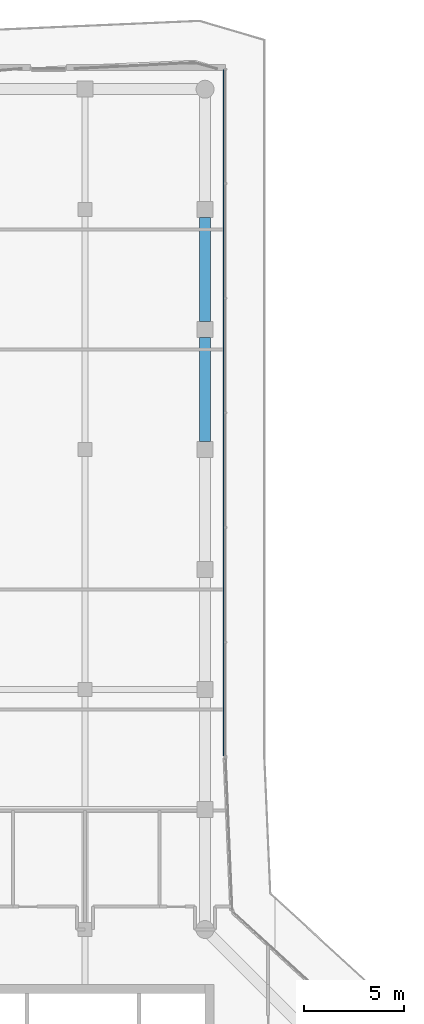
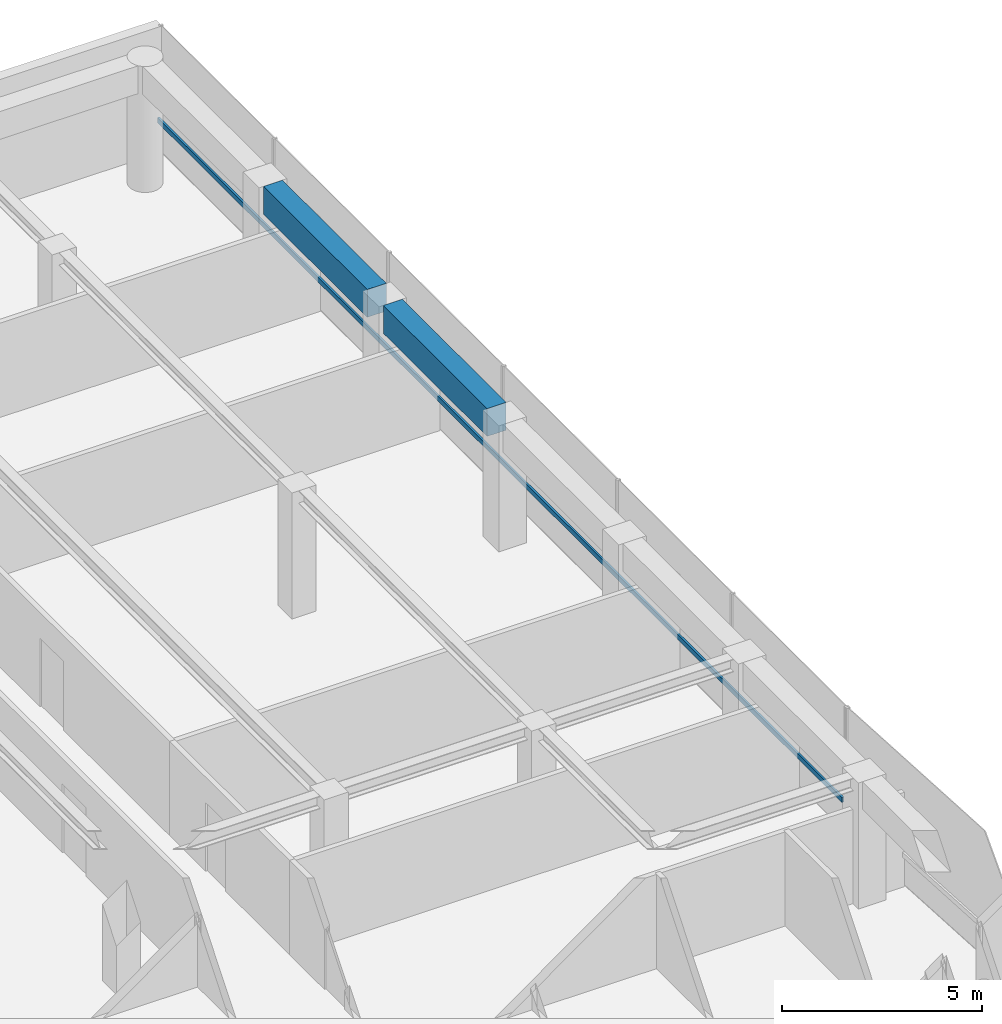
# One storey, part 14 of 21: 2 beams, 1 member, 1 element without a shape of its own.
"""IFC4 building model written with IfcOpenShell, lengths in metres."""

from ifc_helpers import new_model, si_unit, direction, frame, origin, origin_2d, place, context, subcontext, project, spatial, rectangle, extrude, material, layer, layer_set, material_profile, profile_set, type_object, element, aggregate, save


model = new_model("IFC4")

# Units and contexts
model_context = context("Model", 3, precision=1e-05, world=origin(), true_north=direction((0.0, 1.0)))
body_context = subcontext(model_context, "Body", "Model", "MODEL_VIEW")
ifc_project = project(units=[si_unit("LENGTHUNIT", "METRE"), si_unit("AREAUNIT", "SQUARE_METRE"), si_unit("VOLUMEUNIT", "CUBIC_METRE"), si_unit("PLANEANGLEUNIT", "RADIAN"), si_unit("MASSUNIT", "GRAM", prefix="KILO")], contexts=[model_context])

# Site, building, storey
site_placement = place(None, origin())
site = spatial("IfcSite", under=ifc_project, at=site_placement, CompositionType="ELEMENT")
building_placement = place(site_placement, origin())
building = spatial("IfcBuilding", under=site, at=building_placement, Name="Welwitschia Terrace Campus", CompositionType="ELEMENT")
storey_placement = place(building_placement, frame((0.0, 0.0, 218.0)))
storey = spatial("IfcBuildingStorey", under=building, at=storey_placement, Name="L48", CompositionType="ELEMENT", Elevation=218.0)

# Beams
ifc_material_1 = material(Name="Concrete C50/60", Category="concrete")
ifc_material_profile_1 = material_profile(ifc_material_1, rectangle(XDim=0.550048828125, YDim=0.85009765625, at=origin_2d()))
ifc_profile_set_1 = profile_set([ifc_material_profile_1], Name="Concrete C50/60")
beam_type = type_object("IfcBeamType", Name="Ring spandrel 550x850", PredefinedType="SPANDREL", material=ifc_profile_set_1)
for number, where, z_axis, x_axis, name in (
    (1, (24.0, 52.400390625, 3.425048828125), (0.0, 1.0, 0.0), (-1.0, 0.0, 0.0), "Spandrel SP3"),
    (2, (24.0, 58.400390625, 3.425048828125), (0.0, 1.0, 0.0), (-1.0, 0.0, 0.0), "Spandrel SP3"),
):
    element("IfcBeam", number, at=place(storey_placement, frame(where, z_axis=z_axis, x_axis=x_axis)), inside=storey, type_object=beam_type, Name=name, PredefinedType="SPANDREL", context=body_context, shape_type="SweptSolid", body=[
        extrude(rectangle(XDim=0.550048828125, YDim=0.85009765625, at=origin_2d()), origin(), (0.0, 0.0, 1.0), 5.19921875),
    ])

# Curtain wall, member
ifc_material_2 = material(Name="Bronze anodised aluminium", Category="aluminium")
ifc_layer = layer(ifc_material_2, 0.1201171875)
ifc_layer_set = layer_set([ifc_layer], Name="Bronze anodised aluminium")
curtain_wall_type = type_object("IfcCurtainWallType", Name="Curtain wall CW2 tower 6000", PredefinedType="NOTDEFINED", material=ifc_layer_set)
curtain_wall_placement = place(storey_placement, origin())
curtain_wall = element("IfcCurtainWall", 3, at=curtain_wall_placement, inside=storey, type_object=curtain_wall_type, Name="CW L48.6.0", PredefinedType="NOTDEFINED")
ifc_material_3 = material(Name="Bronze anodised aluminium", Category="aluminium")
ifc_material_profile_2 = material_profile(ifc_material_3, rectangle(XDim=0.06005859375, YDim=0.14990234375, at=origin_2d()))
ifc_profile_set_2 = profile_set([ifc_material_profile_2], Name="Bronze anodised aluminium")
member_type = type_object("IfcMemberType", Name="Transom 60x150", PredefinedType="USERDEFINED", material=ifc_profile_set_2)
member_placement = place(storey_placement, frame((24.93994140625, 36.689453125, 1.0), z_axis=(0.0, 1.0, 0.0), x_axis=(-1.0, 0.0, 0.0)))
member = element("IfcMember", 4, at=member_placement, type_object=member_type, Name="Transom L48.6.0", ObjectType="TRANSOM", PredefinedType="USERDEFINED", context=body_context, shape_type="SweptSolid", body=[
    extrude(rectangle(XDim=0.06005859375, YDim=0.14990234375, at=origin_2d()), origin(), (0.0, 0.0, 1.0), 34.27294921875),
])
aggregate(curtain_wall, [member])

save(model, "model.ifc")
